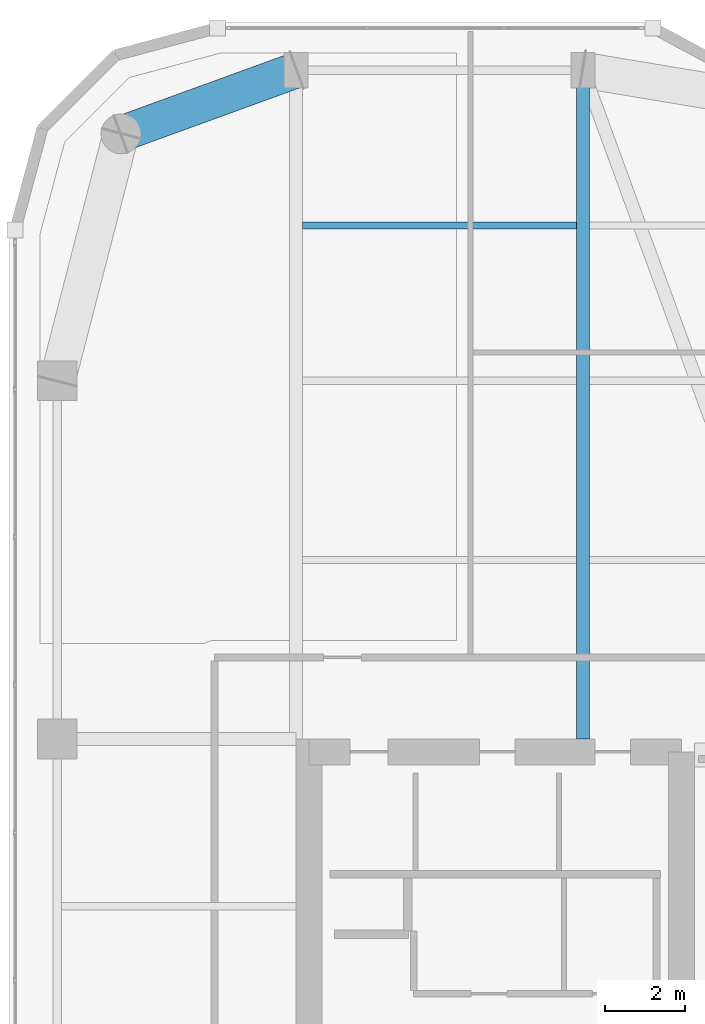
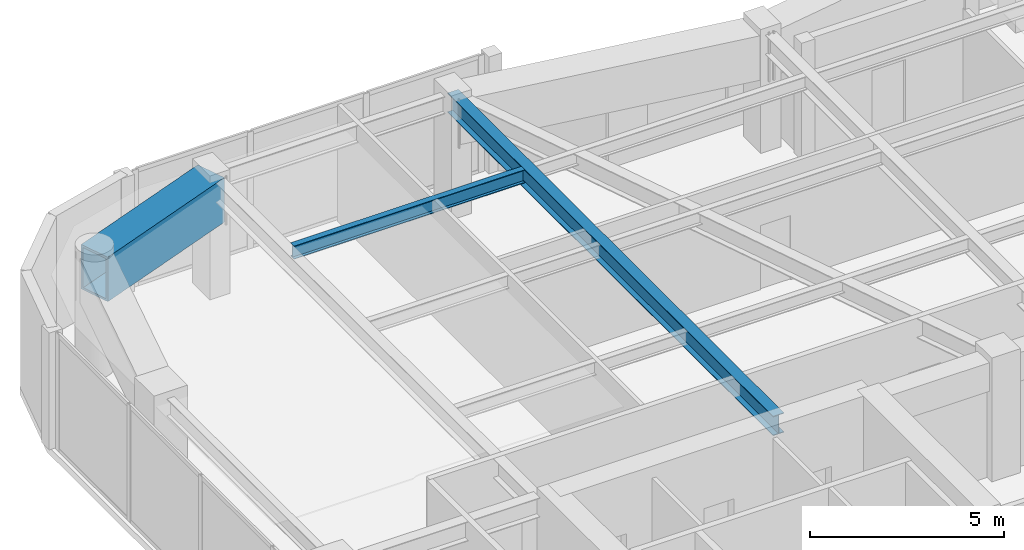
# One storey, part 9 of 21: 3 beams.
"""IFC4 building model written with IfcOpenShell, lengths in metres."""

from ifc_helpers import new_model, si_unit, direction, frame, origin, origin_2d, place, context, subcontext, project, spatial, hollow_rectangle, i_section, extrude, material, material_profile, profile_set, type_object, element, save


model = new_model("IFC4")

# Units and contexts
model_context = context("Model", 3, precision=1e-05, world=origin(), true_north=direction((0.0, 1.0)))
body_context = subcontext(model_context, "Body", "Model", "MODEL_VIEW")
ifc_project = project(units=[si_unit("LENGTHUNIT", "METRE"), si_unit("AREAUNIT", "SQUARE_METRE"), si_unit("VOLUMEUNIT", "CUBIC_METRE"), si_unit("PLANEANGLEUNIT", "RADIAN"), si_unit("MASSUNIT", "GRAM", prefix="KILO")], contexts=[model_context])

# Site, building, storey
site_placement = place(None, origin())
site = spatial("IfcSite", under=ifc_project, at=site_placement, CompositionType="ELEMENT")
building_placement = place(site_placement, origin())
building = spatial("IfcBuilding", under=site, at=building_placement, Name="Kiyonajd Concourse Tower", CompositionType="ELEMENT")
storey_placement = place(building_placement, frame((0.0, 0.0, 234.89990234375)))
storey = spatial("IfcBuildingStorey", under=building, at=storey_placement, Name="L59", CompositionType="ELEMENT", Elevation=234.89990234375)

# Beams
ifc_material_1 = material(Name="Steel ASTM A992 Grade 50", Category="steel")
ifc_material_profile_1 = material_profile(ifc_material_1, i_section(OverallWidth=0.180908203125, OverallDepth=0.4169921875, WebThickness=0.010986328125, FlangeThickness=0.018310546875, at=origin_2d()), Name="W410X85")
ifc_profile_set_1 = profile_set([ifc_material_profile_1], Name="Steel ASTM A992 Grade 50")
beam_type_1 = type_object("IfcBeamType", Name="BM-JST-410", PredefinedType="JOIST", material=ifc_profile_set_1)
beam_1_placement = place(storey_placement, frame((32.56201171875, 57.300048828125, 3.4716796875), z_axis=(1.0, 0.0, 0.0), x_axis=(0.0, 1.0, 0.0)))
element("IfcBeam", 1, at=beam_1_placement, inside=storey, type_object=beam_type_1, Name="L59 Secondary Floor Joist", PredefinedType="JOIST", context=body_context, shape_type="SweptSolid", body=[
    extrude(i_section(OverallWidth=0.180908203125, OverallDepth=0.4169921875, WebThickness=0.010986328125, FlangeThickness=0.018310546875, at=origin_2d()), origin(), (0.0, 0.0, 1.0), 6.8759765625),
])
ifc_material_profile_2 = material_profile(ifc_material_1, i_section(OverallWidth=0.323974609375, OverallDepth=0.611083984375, WebThickness=0.0126953125, FlangeThickness=0.01904296875, at=origin_2d()), Name="W610X155")
ifc_profile_set_2 = profile_set([ifc_material_profile_2], Name="Steel ASTM A992 Grade 50")
beam_type_2 = type_object("IfcBeamType", Name="BM-TWR-610B", PredefinedType="BEAM", material=ifc_profile_set_2)
beam_2_placement = place(storey_placement, frame((39.60009765625, 44.39990234375, 3.37451171875), z_axis=(0.0, 1.0, 0.0), x_axis=(-1.0, 0.0, 0.0)))
element("IfcBeam", 2, at=beam_2_placement, inside=storey, type_object=beam_type_2, Name="L59 North Lease Girder", PredefinedType="BEAM", context=body_context, shape_type="SweptSolid", body=[
    extrude(i_section(OverallWidth=0.323974609375, OverallDepth=0.611083984375, WebThickness=0.0126953125, FlangeThickness=0.01904296875, at=origin_2d()), origin(), (0.0, 0.0, 1.0), 16.800048828125),
])
ifc_material_2 = material(Name="Steel ASTM A572 Grade 50", Category="steel")
ifc_material_profile_3 = material_profile(ifc_material_2, hollow_rectangle(XDim=0.89990234375, YDim=1.39990234375, WallThickness=0.070068359375, at=origin_2d()), Name="BOX-1400x900x70")
ifc_profile_set_3 = profile_set([ifc_material_profile_3], Name="Steel ASTM A572 Grade 50")
beam_type_3 = type_object("IfcBeamType", Name="BM-XFER-1400", PredefinedType="BEAM", material=ifc_profile_set_3)
beam_3_placement = place(storey_placement, frame((32.39990234375, 61.199951171875, 2.97998046875), z_axis=(-0.939801036019, -0.341722127901, 0.0), x_axis=(0.341722127901, -0.939801036019, 0.0)))
element("IfcBeam", 3, at=beam_3_placement, inside=storey, type_object=beam_type_3, Name="L59 Perimeter Bundled Tube Spandrel", PredefinedType="BEAM", context=body_context, shape_type="SweptSolid", body=[
    extrude(hollow_rectangle(XDim=0.89990234375, YDim=1.39990234375, WallThickness=0.070068359375, at=origin_2d()), origin(), (0.0, 0.0, 1.0), 4.681640625),
])

save(model, "model.ifc")
